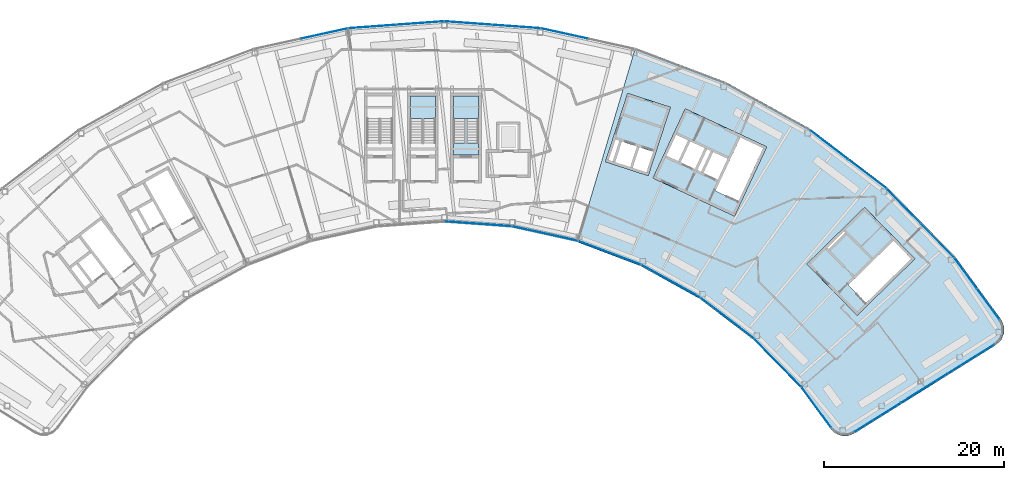
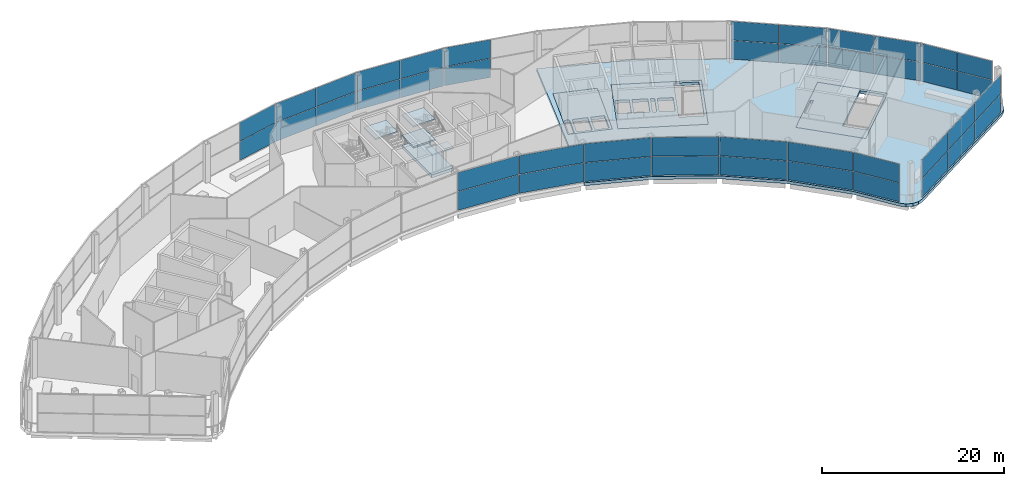
# One storey, part 35 of 44: 44 plates, 9 slabs, 17 elements without a shape of their own.
"""IFC4 building model written with IfcOpenShell, lengths in metres."""

from ifc_helpers import new_model, si_unit, direction, frame, origin, origin_2d, place, context, subcontext, project, spatial, polyline, rectangle, outline, extrude, material, layer, layer_set, type_object, element, aggregate, save


model = new_model("IFC4")

# Units and contexts
model_context = context("Model", 3, precision=1e-05, world=origin(), true_north=direction((0.0, 1.0)))
body_context = subcontext(model_context, "Body", "Model", "MODEL_VIEW")
ifc_project = project(units=[si_unit("LENGTHUNIT", "METRE"), si_unit("AREAUNIT", "SQUARE_METRE"), si_unit("VOLUMEUNIT", "CUBIC_METRE"), si_unit("PLANEANGLEUNIT", "RADIAN"), si_unit("MASSUNIT", "GRAM", prefix="KILO")], contexts=[model_context])

# Site, building, storey
site_placement = place(None, origin())
site = spatial("IfcSite", under=ifc_project, at=site_placement, CompositionType="ELEMENT")
building_placement = place(site_placement, origin())
building = spatial("IfcBuilding", under=site, at=building_placement, Name="Tuul Gate Civic Tower", CompositionType="ELEMENT")
storey_placement = place(building_placement, frame((0.0, 0.0, 354.60009765625)))
storey = spatial("IfcBuildingStorey", under=building, at=storey_placement, Name="Observation level 2", CompositionType="ELEMENT", Elevation=354.60009765625)

# Curtain wall, plates
ifc_material_1 = material(Name="Stainless steel", Category="steel")
ifc_layer_1 = layer(ifc_material_1, 0.199951171875)
ifc_layer_set_1 = layer_set([ifc_layer_1], Name="Stainless steel")
curtain_wall_type = type_object("IfcCurtainWallType", Name="Curtain wall CW4", PredefinedType="NOTDEFINED", material=ifc_layer_set_1)
curtain_wall_1_placement = place(storey_placement, origin())
curtain_wall_1 = element("IfcCurtainWall", 1, at=curtain_wall_1_placement, inside=storey, type_object=curtain_wall_type, Name="Curtain wall CW4", PredefinedType="NOTDEFINED")
ifc_material_2 = material(Name="Laminated glass", Category="glass")
ifc_layer_2 = layer(ifc_material_2, 0.0400390625)
ifc_layer_set_2 = layer_set([ifc_layer_2], Name="Laminated glass")
plate_type = type_object("IfcPlateType", Name="CW4 panel", PredefinedType="CURTAIN_PANEL", material=ifc_layer_set_2)
plate_1_placement = place(storey_placement, frame((62.70458984375, -17.19482421875, 0.06005859375), z_axis=(0.0, 0.0, 1.0), x_axis=(-0.589760109881, 0.807578487079, 0.0)))
plate_1 = element("IfcPlate", 2, at=plate_1_placement, type_object=plate_type, Name="Panel", PredefinedType="CURTAIN_PANEL", context=body_context, shape_type="SweptSolid", body=[
    extrude(rectangle(XDim=4.211669921875, YDim=0.0400390625, at=origin_2d()), origin(), (0.0, 0.0, 1.0), 2.510009765625),
])
plate_2_placement = place(storey_placement, frame((62.70458984375, -17.19482421875, 2.6298828125), z_axis=(0.0, 0.0, 1.0), x_axis=(-0.589760109881, 0.807578487079, 0.0)))
plate_2 = element("IfcPlate", 3, at=plate_2_placement, type_object=plate_type, Name="Panel", PredefinedType="CURTAIN_PANEL", context=body_context, shape_type="SweptSolid", body=[
    extrude(rectangle(XDim=4.211669921875, YDim=0.0400390625, at=origin_2d()), origin(), (0.0, 0.0, 1.0), 2.510009765625),
])
plate_3_placement = place(storey_placement, frame((60.185302734375, -13.7451171875, 0.06005859375), z_axis=(0.0, 0.0, 1.0), x_axis=(-0.589760109881, 0.807578487079, 0.0)))
plate_3 = element("IfcPlate", 4, at=plate_3_placement, type_object=plate_type, Name="Panel", PredefinedType="CURTAIN_PANEL", context=body_context, shape_type="SweptSolid", body=[
    extrude(rectangle(XDim=4.211669921875, YDim=0.0400390625, at=origin_2d()), origin(), (0.0, 0.0, 1.0), 2.510009765625),
])
plate_4_placement = place(storey_placement, frame((60.185302734375, -13.7451171875, 2.6298828125), z_axis=(0.0, 0.0, 1.0), x_axis=(-0.589760109881, 0.807578487079, 0.0)))
plate_4 = element("IfcPlate", 5, at=plate_4_placement, type_object=plate_type, Name="Panel", PredefinedType="CURTAIN_PANEL", context=body_context, shape_type="SweptSolid", body=[
    extrude(rectangle(XDim=4.211669921875, YDim=0.0400390625, at=origin_2d()), origin(), (0.0, 0.0, 1.0), 2.510009765625),
])
aggregate(curtain_wall_1, [plate_1, plate_2, plate_3, plate_4])

curtain_wall_2_placement = place(storey_placement, origin())
curtain_wall_2 = element("IfcCurtainWall", 6, at=curtain_wall_2_placement, inside=storey, type_object=curtain_wall_type, Name="Curtain wall CW4", PredefinedType="NOTDEFINED")
plate_5_placement = place(storey_placement, frame((57.017578125, -10.067626953125, 0.06005859375), z_axis=(0.0, 0.0, 1.0), x_axis=(-0.700043488595, 0.714100212908, 0.0)))
plate_5 = element("IfcPlate", 7, at=plate_5_placement, type_object=plate_type, Name="Panel", PredefinedType="CURTAIN_PANEL", context=body_context, shape_type="SweptSolid", body=[
    extrude(rectangle(XDim=5.281005859375, YDim=0.0400390625, at=origin_2d()), origin(), (0.0, 0.0, 1.0), 2.510009765625),
])
plate_6_placement = place(storey_placement, frame((57.017578125, -10.067626953125, 2.6298828125), z_axis=(0.0, 0.0, 1.0), x_axis=(-0.700043488595, 0.714100212908, 0.0)))
plate_6 = element("IfcPlate", 8, at=plate_6_placement, type_object=plate_type, Name="Panel", PredefinedType="CURTAIN_PANEL", context=body_context, shape_type="SweptSolid", body=[
    extrude(rectangle(XDim=5.281005859375, YDim=0.0400390625, at=origin_2d()), origin(), (0.0, 0.0, 1.0), 2.510009765625),
])
plate_7_placement = place(storey_placement, frame((53.278564453125, -6.25341796875, 0.06005859375), z_axis=(0.0, 0.0, 1.0), x_axis=(-0.700043488595, 0.714100212908, 0.0)))
plate_7 = element("IfcPlate", 9, at=plate_7_placement, type_object=plate_type, Name="Panel", PredefinedType="CURTAIN_PANEL", context=body_context, shape_type="SweptSolid", body=[
    extrude(rectangle(XDim=5.281005859375, YDim=0.0400390625, at=origin_2d()), origin(), (0.0, 0.0, 1.0), 2.510009765625),
])
plate_8_placement = place(storey_placement, frame((53.278564453125, -6.25341796875, 2.6298828125), z_axis=(0.0, 0.0, 1.0), x_axis=(-0.700043488595, 0.714100212908, 0.0)))
plate_8 = element("IfcPlate", 10, at=plate_8_placement, type_object=plate_type, Name="Panel", PredefinedType="CURTAIN_PANEL", context=body_context, shape_type="SweptSolid", body=[
    extrude(rectangle(XDim=5.281005859375, YDim=0.0400390625, at=origin_2d()), origin(), (0.0, 0.0, 1.0), 2.510009765625),
])
aggregate(curtain_wall_2, [plate_5, plate_6, plate_7, plate_8])

curtain_wall_3_placement = place(storey_placement, origin())
curtain_wall_3 = element("IfcCurtainWall", 11, at=curtain_wall_3_placement, inside=storey, type_object=curtain_wall_type, Name="Curtain wall CW4", PredefinedType="NOTDEFINED")
plate_9_placement = place(storey_placement, frame((49.2392578125, -2.68896484375, 0.06005859375), z_axis=(0.0, 0.0, 1.0), x_axis=(-0.795611180684, 0.605807600786, 0.0)))
plate_9 = element("IfcPlate", 12, at=plate_9_placement, type_object=plate_type, Name="Panel", PredefinedType="CURTAIN_PANEL", context=body_context, shape_type="SweptSolid", body=[
    extrude(rectangle(XDim=5.28125, YDim=0.0400390625, at=origin_2d()), origin(), (0.0, 0.0, 1.0), 2.510009765625),
])
plate_10_placement = place(storey_placement, frame((49.2392578125, -2.68896484375, 2.6298828125), z_axis=(0.0, 0.0, 1.0), x_axis=(-0.795611180684, 0.605807600786, 0.0)))
plate_10 = element("IfcPlate", 13, at=plate_10_placement, type_object=plate_type, Name="Panel", PredefinedType="CURTAIN_PANEL", context=body_context, shape_type="SweptSolid", body=[
    extrude(rectangle(XDim=5.28125, YDim=0.0400390625, at=origin_2d()), origin(), (0.0, 0.0, 1.0), 2.510009765625),
])
plate_11_placement = place(storey_placement, frame((44.98974609375, 0.546875, 0.06005859375), z_axis=(0.0, 0.0, 1.0), x_axis=(-0.795611180684, 0.605807600786, 0.0)))
plate_11 = element("IfcPlate", 14, at=plate_11_placement, type_object=plate_type, Name="Panel", PredefinedType="CURTAIN_PANEL", context=body_context, shape_type="SweptSolid", body=[
    extrude(rectangle(XDim=5.28125, YDim=0.0400390625, at=origin_2d()), origin(), (0.0, 0.0, 1.0), 2.510009765625),
])
plate_12_placement = place(storey_placement, frame((44.98974609375, 0.546875, 2.6298828125), z_axis=(0.0, 0.0, 1.0), x_axis=(-0.795611180684, 0.605807600786, 0.0)))
plate_12 = element("IfcPlate", 15, at=plate_12_placement, type_object=plate_type, Name="Panel", PredefinedType="CURTAIN_PANEL", context=body_context, shape_type="SweptSolid", body=[
    extrude(rectangle(XDim=5.28125, YDim=0.0400390625, at=origin_2d()), origin(), (0.0, 0.0, 1.0), 2.510009765625),
])
aggregate(curtain_wall_3, [plate_9, plate_10, plate_11, plate_12])

curtain_wall_4_placement = place(storey_placement, origin())
curtain_wall_4 = element("IfcCurtainWall", 16, at=curtain_wall_4_placement, inside=storey, type_object=curtain_wall_type, Name="Curtain wall CW4", PredefinedType="NOTDEFINED")
plate_13_placement = place(storey_placement, frame((15.54345703125, 12.921875, 0.06005859375), z_axis=(0.0, 0.0, 1.0), x_axis=(-0.976566659334, 0.215215147882, 0.0)))
plate_13 = element("IfcPlate", 17, at=plate_13_placement, type_object=plate_type, Name="Panel", PredefinedType="CURTAIN_PANEL", context=body_context, shape_type="SweptSolid", body=[
    extrude(rectangle(XDim=5.28125, YDim=0.0400390625, at=origin_2d()), origin(), (0.0, 0.0, 1.0), 2.510009765625),
])
plate_14_placement = place(storey_placement, frame((15.54345703125, 12.921875, 2.6298828125), z_axis=(0.0, 0.0, 1.0), x_axis=(-0.976566659334, 0.215215147882, 0.0)))
plate_14 = element("IfcPlate", 18, at=plate_14_placement, type_object=plate_type, Name="Panel", PredefinedType="CURTAIN_PANEL", context=body_context, shape_type="SweptSolid", body=[
    extrude(rectangle(XDim=5.28125, YDim=0.0400390625, at=origin_2d()), origin(), (0.0, 0.0, 1.0), 2.510009765625),
])
aggregate(curtain_wall_4, [plate_13, plate_14])

curtain_wall_5_placement = place(storey_placement, origin())
curtain_wall_5 = element("IfcCurtainWall", 19, at=curtain_wall_5_placement, inside=storey, type_object=curtain_wall_type, Name="Curtain wall CW4", PredefinedType="NOTDEFINED")
plate_15_placement = place(storey_placement, frame((10.212646484375, 13.697998046875, 0.06005859375), z_axis=(0.0, 0.0, 1.0), x_axis=(-0.997387323989, 0.07223936563, 0.0)))
plate_15 = element("IfcPlate", 20, at=plate_15_placement, type_object=plate_type, Name="Panel", PredefinedType="CURTAIN_PANEL", context=body_context, shape_type="SweptSolid", body=[
    extrude(rectangle(XDim=5.281005859375, YDim=0.0400390625, at=origin_2d()), origin(), (0.0, 0.0, 1.0), 2.510009765625),
])
plate_16_placement = place(storey_placement, frame((10.212646484375, 13.697998046875, 2.6298828125), z_axis=(0.0, 0.0, 1.0), x_axis=(-0.997387323989, 0.07223936563, 0.0)))
plate_16 = element("IfcPlate", 21, at=plate_16_placement, type_object=plate_type, Name="Panel", PredefinedType="CURTAIN_PANEL", context=body_context, shape_type="SweptSolid", body=[
    extrude(rectangle(XDim=5.281005859375, YDim=0.0400390625, at=origin_2d()), origin(), (0.0, 0.0, 1.0), 2.510009765625),
])
plate_17_placement = place(storey_placement, frame((4.885498046875, 14.083984375, 0.06005859375), z_axis=(0.0, 0.0, 1.0), x_axis=(-0.997387323989, 0.07223936563, 0.0)))
plate_17 = element("IfcPlate", 22, at=plate_17_placement, type_object=plate_type, Name="Panel", PredefinedType="CURTAIN_PANEL", context=body_context, shape_type="SweptSolid", body=[
    extrude(rectangle(XDim=5.281005859375, YDim=0.0400390625, at=origin_2d()), origin(), (0.0, 0.0, 1.0), 2.510009765625),
])
plate_18_placement = place(storey_placement, frame((4.885498046875, 14.083984375, 2.6298828125), z_axis=(0.0, 0.0, 1.0), x_axis=(-0.997387323989, 0.07223936563, 0.0)))
plate_18 = element("IfcPlate", 23, at=plate_18_placement, type_object=plate_type, Name="Panel", PredefinedType="CURTAIN_PANEL", context=body_context, shape_type="SweptSolid", body=[
    extrude(rectangle(XDim=5.281005859375, YDim=0.0400390625, at=origin_2d()), origin(), (0.0, 0.0, 1.0), 2.510009765625),
])
aggregate(curtain_wall_5, [plate_15, plate_16, plate_17, plate_18])

curtain_wall_6_placement = place(storey_placement, origin())
curtain_wall_6 = element("IfcCurtainWall", 24, at=curtain_wall_6_placement, inside=storey, type_object=curtain_wall_type, Name="Curtain wall CW4", PredefinedType="NOTDEFINED")
plate_19_placement = place(storey_placement, frame((-0.50146484375, 14.083984375, 0.06005859375), z_axis=(0.0, 0.0, 1.0), x_axis=(-0.997387323989, -0.07223936563, 0.0)))
plate_19 = element("IfcPlate", 25, at=plate_19_placement, type_object=plate_type, Name="Panel", PredefinedType="CURTAIN_PANEL", context=body_context, shape_type="SweptSolid", body=[
    extrude(rectangle(XDim=5.281005859375, YDim=0.0400390625, at=origin_2d()), origin(), (0.0, 0.0, 1.0), 2.510009765625),
])
plate_20_placement = place(storey_placement, frame((-0.50146484375, 14.083984375, 2.6298828125), z_axis=(0.0, 0.0, 1.0), x_axis=(-0.997387323989, -0.07223936563, 0.0)))
plate_20 = element("IfcPlate", 26, at=plate_20_placement, type_object=plate_type, Name="Panel", PredefinedType="CURTAIN_PANEL", context=body_context, shape_type="SweptSolid", body=[
    extrude(rectangle(XDim=5.281005859375, YDim=0.0400390625, at=origin_2d()), origin(), (0.0, 0.0, 1.0), 2.510009765625),
])
plate_21_placement = place(storey_placement, frame((-5.82861328125, 13.697998046875, 0.06005859375), z_axis=(0.0, 0.0, 1.0), x_axis=(-0.997387323989, -0.07223936563, 0.0)))
plate_21 = element("IfcPlate", 27, at=plate_21_placement, type_object=plate_type, Name="Panel", PredefinedType="CURTAIN_PANEL", context=body_context, shape_type="SweptSolid", body=[
    extrude(rectangle(XDim=5.281005859375, YDim=0.0400390625, at=origin_2d()), origin(), (0.0, 0.0, 1.0), 2.510009765625),
])
plate_22_placement = place(storey_placement, frame((-5.82861328125, 13.697998046875, 2.6298828125), z_axis=(0.0, 0.0, 1.0), x_axis=(-0.997387323989, -0.07223936563, 0.0)))
plate_22 = element("IfcPlate", 28, at=plate_22_placement, type_object=plate_type, Name="Panel", PredefinedType="CURTAIN_PANEL", context=body_context, shape_type="SweptSolid", body=[
    extrude(rectangle(XDim=5.281005859375, YDim=0.0400390625, at=origin_2d()), origin(), (0.0, 0.0, 1.0), 2.510009765625),
])
aggregate(curtain_wall_6, [plate_19, plate_20, plate_21, plate_22])

curtain_wall_7_placement = place(storey_placement, origin())
curtain_wall_7 = element("IfcCurtainWall", 29, at=curtain_wall_7_placement, inside=storey, type_object=curtain_wall_type, Name="Curtain wall CW4", PredefinedType="NOTDEFINED")
plate_23_placement = place(storey_placement, frame((-11.159423828125, 12.921875, 0.06005859375), z_axis=(0.0, 0.0, 1.0), x_axis=(-0.976566659334, -0.215215147882, 0.0)))
plate_23 = element("IfcPlate", 30, at=plate_23_placement, type_object=plate_type, Name="Panel", PredefinedType="CURTAIN_PANEL", context=body_context, shape_type="SweptSolid", body=[
    extrude(rectangle(XDim=5.28125, YDim=0.0400390625, at=origin_2d()), origin(), (0.0, 0.0, 1.0), 2.510009765625),
])
plate_24_placement = place(storey_placement, frame((-11.159423828125, 12.921875, 2.6298828125), z_axis=(0.0, 0.0, 1.0), x_axis=(-0.976566659334, -0.215215147882, 0.0)))
plate_24 = element("IfcPlate", 31, at=plate_24_placement, type_object=plate_type, Name="Panel", PredefinedType="CURTAIN_PANEL", context=body_context, shape_type="SweptSolid", body=[
    extrude(rectangle(XDim=5.28125, YDim=0.0400390625, at=origin_2d()), origin(), (0.0, 0.0, 1.0), 2.510009765625),
])
aggregate(curtain_wall_7, [plate_23, plate_24])

curtain_wall_8_placement = place(storey_placement, origin())
curtain_wall_8 = element("IfcCurtainWall", 32, at=curtain_wall_8_placement, inside=storey, type_object=curtain_wall_type, Name="Curtain wall CW4", PredefinedType="NOTDEFINED")
plate_25_placement = place(storey_placement, frame((5.945556640625, -8.2509765625, 0.06005859375), z_axis=(0.0, 0.0, 1.0), x_axis=(0.997384657179, -0.072276176045, 0.0)))
plate_25 = element("IfcPlate", 33, at=plate_25_placement, type_object=plate_type, Name="Panel", PredefinedType="CURTAIN_PANEL", context=body_context, shape_type="SweptSolid", body=[
    extrude(rectangle(XDim=7.40673828125, YDim=0.0400390625, at=origin_2d()), origin(), (0.0, 0.0, 1.0), 2.510009765625),
])
plate_26_placement = place(storey_placement, frame((5.945556640625, -8.2509765625, 2.6298828125), z_axis=(0.0, 0.0, 1.0), x_axis=(0.997384657179, -0.072276176045, 0.0)))
plate_26 = element("IfcPlate", 34, at=plate_26_placement, type_object=plate_type, Name="Panel", PredefinedType="CURTAIN_PANEL", context=body_context, shape_type="SweptSolid", body=[
    extrude(rectangle(XDim=7.40673828125, YDim=0.0400390625, at=origin_2d()), origin(), (0.0, 0.0, 1.0), 2.510009765625),
])
aggregate(curtain_wall_8, [plate_25, plate_26])

curtain_wall_9_placement = place(storey_placement, origin())
curtain_wall_9 = element("IfcCurtainWall", 35, at=curtain_wall_9_placement, inside=storey, type_object=curtain_wall_type, Name="Curtain wall CW4", PredefinedType="NOTDEFINED")
plate_27_placement = place(storey_placement, frame((13.3740234375, -9.3330078125, 0.06005859375), z_axis=(0.0, 0.0, 1.0), x_axis=(0.976560749849, -0.215241961183, 0.0)))
plate_27 = element("IfcPlate", 36, at=plate_27_placement, type_object=plate_type, Name="Panel", PredefinedType="CURTAIN_PANEL", context=body_context, shape_type="SweptSolid", body=[
    extrude(rectangle(XDim=7.406494140625, YDim=0.0400390625, at=origin_2d()), origin(), (0.0, 0.0, 1.0), 2.510009765625),
])
plate_28_placement = place(storey_placement, frame((13.3740234375, -9.3330078125, 2.6298828125), z_axis=(0.0, 0.0, 1.0), x_axis=(0.976560749849, -0.215241961183, 0.0)))
plate_28 = element("IfcPlate", 37, at=plate_28_placement, type_object=plate_type, Name="Panel", PredefinedType="CURTAIN_PANEL", context=body_context, shape_type="SweptSolid", body=[
    extrude(rectangle(XDim=7.406494140625, YDim=0.0400390625, at=origin_2d()), origin(), (0.0, 0.0, 1.0), 2.510009765625),
])
aggregate(curtain_wall_9, [plate_27, plate_28])

curtain_wall_10_placement = place(storey_placement, origin())
curtain_wall_10 = element("IfcCurtainWall", 38, at=curtain_wall_10_placement, inside=storey, type_object=curtain_wall_type, Name="Curtain wall CW4", PredefinedType="NOTDEFINED")
plate_29_placement = place(storey_placement, frame((20.569091796875, -11.47412109375, 0.06005859375), z_axis=(0.0, 0.0, 1.0), x_axis=(0.935364679597, -0.353684769481, 0.0)))
plate_29 = element("IfcPlate", 39, at=plate_29_placement, type_object=plate_type, Name="Panel", PredefinedType="CURTAIN_PANEL", context=body_context, shape_type="SweptSolid", body=[
    extrude(rectangle(XDim=7.406494140625, YDim=0.0400390625, at=origin_2d()), origin(), (0.0, 0.0, 1.0), 2.510009765625),
])
plate_30_placement = place(storey_placement, frame((20.569091796875, -11.47412109375, 2.6298828125), z_axis=(0.0, 0.0, 1.0), x_axis=(0.935364679597, -0.353684769481, 0.0)))
plate_30 = element("IfcPlate", 40, at=plate_30_placement, type_object=plate_type, Name="Panel", PredefinedType="CURTAIN_PANEL", context=body_context, shape_type="SweptSolid", body=[
    extrude(rectangle(XDim=7.406494140625, YDim=0.0400390625, at=origin_2d()), origin(), (0.0, 0.0, 1.0), 2.510009765625),
])
aggregate(curtain_wall_10, [plate_29, plate_30])

curtain_wall_11_placement = place(storey_placement, origin())
curtain_wall_11 = element("IfcCurtainWall", 41, at=curtain_wall_11_placement, inside=storey, type_object=curtain_wall_type, Name="Curtain wall CW4", PredefinedType="NOTDEFINED")
plate_31_placement = place(storey_placement, frame((27.380615234375, -14.62939453125, 0.06005859375), z_axis=(0.0, 0.0, 1.0), x_axis=(0.874620635875, -0.48480794476, 0.0)))
plate_31 = element("IfcPlate", 42, at=plate_31_placement, type_object=plate_type, Name="Panel", PredefinedType="CURTAIN_PANEL", context=body_context, shape_type="SweptSolid", body=[
    extrude(rectangle(XDim=7.40673828125, YDim=0.0400390625, at=origin_2d()), origin(), (0.0, 0.0, 1.0), 2.510009765625),
])
plate_32_placement = place(storey_placement, frame((27.380615234375, -14.62939453125, 2.6298828125), z_axis=(0.0, 0.0, 1.0), x_axis=(0.874620635875, -0.48480794476, 0.0)))
plate_32 = element("IfcPlate", 43, at=plate_32_placement, type_object=plate_type, Name="Panel", PredefinedType="CURTAIN_PANEL", context=body_context, shape_type="SweptSolid", body=[
    extrude(rectangle(XDim=7.40673828125, YDim=0.0400390625, at=origin_2d()), origin(), (0.0, 0.0, 1.0), 2.510009765625),
])
aggregate(curtain_wall_11, [plate_31, plate_32])

curtain_wall_12_placement = place(storey_placement, origin())
curtain_wall_12 = element("IfcCurtainWall", 44, at=curtain_wall_12_placement, inside=storey, type_object=curtain_wall_type, Name="Curtain wall CW4", PredefinedType="NOTDEFINED")
plate_33_placement = place(storey_placement, frame((33.666015625, -18.73388671875, 0.06005859375), z_axis=(0.0, 0.0, 1.0), x_axis=(0.795578092914, -0.605851052715, 0.0)))
plate_33 = element("IfcPlate", 45, at=plate_33_placement, type_object=plate_type, Name="Panel", PredefinedType="CURTAIN_PANEL", context=body_context, shape_type="SweptSolid", body=[
    extrude(rectangle(XDim=7.406494140625, YDim=0.0400390625, at=origin_2d()), origin(), (0.0, 0.0, 1.0), 2.510009765625),
])
plate_34_placement = place(storey_placement, frame((33.666015625, -18.73388671875, 2.6298828125), z_axis=(0.0, 0.0, 1.0), x_axis=(0.795578092914, -0.605851052715, 0.0)))
plate_34 = element("IfcPlate", 46, at=plate_34_placement, type_object=plate_type, Name="Panel", PredefinedType="CURTAIN_PANEL", context=body_context, shape_type="SweptSolid", body=[
    extrude(rectangle(XDim=7.406494140625, YDim=0.0400390625, at=origin_2d()), origin(), (0.0, 0.0, 1.0), 2.510009765625),
])
aggregate(curtain_wall_12, [plate_33, plate_34])

curtain_wall_13_placement = place(storey_placement, origin())
curtain_wall_13 = element("IfcCurtainWall", 47, at=curtain_wall_13_placement, inside=storey, type_object=curtain_wall_type, Name="Curtain wall CW4", PredefinedType="NOTDEFINED")
plate_35_placement = place(storey_placement, frame((39.29443359375, -23.700927734375, 0.06005859375), z_axis=(0.0, 0.0, 1.0), x_axis=(0.700096651008, -0.714048093092, 0.0)))
plate_35 = element("IfcPlate", 48, at=plate_35_placement, type_object=plate_type, Name="Panel", PredefinedType="CURTAIN_PANEL", context=body_context, shape_type="SweptSolid", body=[
    extrude(rectangle(XDim=7.406005859375, YDim=0.0400390625, at=origin_2d()), origin(), (0.0, 0.0, 1.0), 2.510009765625),
])
plate_36_placement = place(storey_placement, frame((39.29443359375, -23.700927734375, 2.6298828125), z_axis=(0.0, 0.0, 1.0), x_axis=(0.700096651008, -0.714048093092, 0.0)))
plate_36 = element("IfcPlate", 49, at=plate_36_placement, type_object=plate_type, Name="Panel", PredefinedType="CURTAIN_PANEL", context=body_context, shape_type="SweptSolid", body=[
    extrude(rectangle(XDim=7.406005859375, YDim=0.0400390625, at=origin_2d()), origin(), (0.0, 0.0, 1.0), 2.510009765625),
])
aggregate(curtain_wall_13, [plate_35, plate_36])

curtain_wall_14_placement = place(storey_placement, origin())
curtain_wall_14 = element("IfcCurtainWall", 50, at=curtain_wall_14_placement, inside=storey, type_object=curtain_wall_type, Name="Curtain wall CW4", PredefinedType="NOTDEFINED")
plate_37_placement = place(storey_placement, frame((43.596435546875, -28.67138671875, 0.06005859375), z_axis=(0.0, 0.0, 1.0), x_axis=(0.589737236717, -0.807595190444, 0.0)))
plate_37 = element("IfcPlate", 51, at=plate_37_placement, type_object=plate_type, Name="Panel", PredefinedType="CURTAIN_PANEL", context=body_context, shape_type="SweptSolid", body=[
    extrude(rectangle(XDim=5.53515625, YDim=0.0400390625, at=origin_2d()), origin(), (0.0, 0.0, 1.0), 2.510009765625),
])
plate_38_placement = place(storey_placement, frame((43.596435546875, -28.67138671875, 2.6298828125), z_axis=(0.0, 0.0, 1.0), x_axis=(0.589737236717, -0.807595190444, 0.0)))
plate_38 = element("IfcPlate", 52, at=plate_38_placement, type_object=plate_type, Name="Panel", PredefinedType="CURTAIN_PANEL", context=body_context, shape_type="SweptSolid", body=[
    extrude(rectangle(XDim=5.53515625, YDim=0.0400390625, at=origin_2d()), origin(), (0.0, 0.0, 1.0), 2.510009765625),
])
aggregate(curtain_wall_14, [plate_37, plate_38])

curtain_wall_15_placement = place(storey_placement, origin())
curtain_wall_15 = element("IfcCurtainWall", 53, at=curtain_wall_15_placement, inside=storey, type_object=curtain_wall_type, Name="Curtain wall CW4", PredefinedType="NOTDEFINED")
plate_39_placement = place(storey_placement, frame((50.373291015625, -29.786865234375, 0.06005859375), z_axis=(0.0, 0.0, 1.0), x_axis=(0.848052818366, 0.529911707044, 0.0)))
plate_39 = element("IfcPlate", 54, at=plate_39_placement, type_object=plate_type, Name="Panel", PredefinedType="CURTAIN_PANEL", context=body_context, shape_type="SweptSolid", body=[
    extrude(rectangle(XDim=6.0927734375, YDim=0.0400390625, at=origin_2d()), origin(), (0.0, 0.0, 1.0), 2.510009765625),
])
plate_40_placement = place(storey_placement, frame((50.373291015625, -29.786865234375, 2.6298828125), z_axis=(0.0, 0.0, 1.0), x_axis=(0.848052818366, 0.529911707044, 0.0)))
plate_40 = element("IfcPlate", 55, at=plate_40_placement, type_object=plate_type, Name="Panel", PredefinedType="CURTAIN_PANEL", context=body_context, shape_type="SweptSolid", body=[
    extrude(rectangle(XDim=6.0927734375, YDim=0.0400390625, at=origin_2d()), origin(), (0.0, 0.0, 1.0), 2.510009765625),
])
plate_41_placement = place(storey_placement, frame((55.60400390625, -26.5185546875, 0.06005859375), z_axis=(0.0, 0.0, 1.0), x_axis=(0.848052818366, 0.529911707044, 0.0)))
plate_41 = element("IfcPlate", 56, at=plate_41_placement, type_object=plate_type, Name="Panel", PredefinedType="CURTAIN_PANEL", context=body_context, shape_type="SweptSolid", body=[
    extrude(rectangle(XDim=6.122802734375, YDim=0.0400390625, at=origin_2d()), origin(), (0.0, 0.0, 1.0), 2.510009765625),
])
plate_42_placement = place(storey_placement, frame((55.60400390625, -26.5185546875, 2.6298828125), z_axis=(0.0, 0.0, 1.0), x_axis=(0.848052818366, 0.529911707044, 0.0)))
plate_42 = element("IfcPlate", 57, at=plate_42_placement, type_object=plate_type, Name="Panel", PredefinedType="CURTAIN_PANEL", context=body_context, shape_type="SweptSolid", body=[
    extrude(rectangle(XDim=6.122802734375, YDim=0.0400390625, at=origin_2d()), origin(), (0.0, 0.0, 1.0), 2.510009765625),
])
plate_43_placement = place(storey_placement, frame((60.834716796875, -23.25, 0.06005859375), z_axis=(0.0, 0.0, 1.0), x_axis=(0.848052818366, 0.529911707044, 0.0)))
plate_43 = element("IfcPlate", 58, at=plate_43_placement, type_object=plate_type, Name="Panel", PredefinedType="CURTAIN_PANEL", context=body_context, shape_type="SweptSolid", body=[
    extrude(rectangle(XDim=6.0927734375, YDim=0.0400390625, at=origin_2d()), origin(), (0.0, 0.0, 1.0), 2.510009765625),
])
plate_44_placement = place(storey_placement, frame((60.834716796875, -23.25, 2.6298828125), z_axis=(0.0, 0.0, 1.0), x_axis=(0.848052818366, 0.529911707044, 0.0)))
plate_44 = element("IfcPlate", 59, at=plate_44_placement, type_object=plate_type, Name="Panel", PredefinedType="CURTAIN_PANEL", context=body_context, shape_type="SweptSolid", body=[
    extrude(rectangle(XDim=6.0927734375, YDim=0.0400390625, at=origin_2d()), origin(), (0.0, 0.0, 1.0), 2.510009765625),
])
aggregate(curtain_wall_15, [plate_39, plate_40, plate_41, plate_42, plate_43, plate_44])

# Slabs
ifc_material_3 = material(Name="Concrete C40/50", Category="concrete")
ifc_layer_3 = layer(ifc_material_3, 0.39990234375)
ifc_layer_set_3 = layer_set([ifc_layer_3], Name="Concrete C40/50")
slab_type_1 = type_object("IfcSlabType", Name="Core floor slab 400", PredefinedType="FLOOR", material=ifc_layer_set_3)
slab_1_placement = place(storey_placement, frame((0.0, 0.0, -0.400146484375)))
element("IfcSlab", 60, at=slab_1_placement, inside=storey, type_object=slab_type_1, Name="FLOOR SLAB", PredefinedType="FLOOR", context=body_context, shape_type="SweptSolid", body=[
    extrude(outline(polyline([(48.117919921875, -18.43310546875), (54.545166015625, -12.1328125), (48.945068359375, -6.419921875), (42.517822265625, -12.719970703125), (48.117919921875, -18.43310546875)]), holes=[polyline([(44.93896484375, -11.046875), (46.760009765625, -9.261962890625), (46.514892578125, -9.011962890625), (44.69384765625, -10.797119140625), (44.93896484375, -11.046875)]), polyline([(49.086181640625, -17.062744140625), (47.12744140625, -15.064208984375), (52.160888671875, -10.130126953125), (54.11962890625, -12.128662109375), (49.086181640625, -17.062744140625)])]), origin(), (0.0, 0.0, 1.0), 0.400146484375),
])
slab_2_placement = place(storey_placement, frame((0.0, 0.0, -0.400146484375)))
element("IfcSlab", 61, at=slab_2_placement, inside=storey, type_object=slab_type_1, Name="FLOOR SLAB", PredefinedType="FLOOR", context=body_context, shape_type="SweptSolid", body=[
    extrude(outline(polyline([(34.465087890625, -7.385986328125), (38.056884765625, 0.31787109375), (28.993896484375, 4.543701171875), (25.40185546875, -3.159912109375), (34.465087890625, -7.385986328125)]), holes=[polyline([(32.60888671875, -3.32080078125), (33.6865234375, -1.009765625), (32.1005859375, -0.27001953125), (31.02294921875, -2.581298828125), (32.60888671875, -3.32080078125)]), polyline([(30.0712890625, -2.137451171875), (31.14892578125, 0.173583984375), (29.562744140625, 0.9130859375), (28.4853515625, -1.39794921875), (30.0712890625, -2.137451171875)]), polyline([(30.751220703125, -2.454345703125), (31.82861328125, -0.143310546875), (31.4208984375, 0.046875), (30.34326171875, -2.264404296875), (30.751220703125, -2.454345703125)]), polyline([(28.21337890625, -1.27099609375), (29.291015625, 1.0400390625), (27.8408203125, 1.71630859375), (26.76318359375, -0.594970703125), (28.21337890625, -1.27099609375)]), polyline([(34.889892578125, -5.7626953125), (32.353759765625, -4.580078125), (35.120849609375, 1.354736328125), (37.6572265625, 0.17236328125), (34.889892578125, -5.7626953125)])]), origin(), (0.0, 0.0, 1.0), 0.400146484375),
])
ifc_material_4 = material(Name="Concrete C40/50", Category="concrete")
ifc_layer_4 = layer(ifc_material_4, 0.39990234375)
ifc_layer_set_4 = layer_set([ifc_layer_4], Name="Concrete C40/50")
slab_type_2 = type_object("IfcSlabType", Name="Core floor slab 400 non-bearing", PredefinedType="FLOOR", material=ifc_layer_set_4)
slab_3_placement = place(storey_placement, frame((0.0, 0.0, -0.400146484375)))
element("IfcSlab", 62, at=slab_3_placement, inside=storey, type_object=slab_type_2, Name="FLOOR SLAB", PredefinedType="FLOOR", context=body_context, shape_type="SweptSolid", body=[
    extrude(outline(polyline([(24.864990234375, -2.888916015625), (27.337890625, 4.71923828125), (22.58251953125, 6.264404296875), (20.109619140625, -1.343994140625), (24.864990234375, -2.888916015625)]), holes=[polyline([(24.67236328125, -2.510986328125), (25.414306640625, -0.228515625), (23.892578125, 0.265869140625), (23.150634765625, -2.0166015625), (24.67236328125, -2.510986328125)]), polyline([(22.865478515625, -1.923828125), (23.607177734375, 0.358642578125), (21.94287109375, 0.8994140625), (21.201171875, -1.383056640625), (22.865478515625, -1.923828125)]), polyline([(20.869384765625, -1.43310546875), (21.65771484375, 0.9921875), (21.0869140625, 1.177490234375), (20.298583984375, -1.24755859375), (20.869384765625, -1.43310546875)])]), origin(), (0.0, 0.0, 1.0), 0.400146484375),
])

# Stair, slab
ifc_material_5 = material(Name="Concrete C40/50", Category="concrete")
stair_type = type_object("IfcStairType", Name="Exit stair", PredefinedType="HALF_TURN_STAIR", material=ifc_material_5)
stair_1_placement = place(storey_placement, origin())
stair_1 = element("IfcStair", 63, at=stair_1_placement, inside=storey, type_object=stair_type, Name="Observation level 2 ST-6", PredefinedType="HALF_TURN_STAIR")
ifc_material_6 = material(Name="Concrete C40/50", Category="concrete")
ifc_layer_5 = layer(ifc_material_6, 0.199951171875)
ifc_layer_set_5 = layer_set([ifc_layer_5], Name="Concrete C40/50")
slab_type_3 = type_object("IfcSlabType", Name="Exit stair landing", PredefinedType="LANDING", material=ifc_layer_set_5)
slab_4_placement = place(storey_placement, frame((0.0, 0.0, 3.9248046875)))
slab_4 = element("IfcSlab", 64, at=slab_4_placement, type_object=slab_type_3, Name="ST-6 landing 3", PredefinedType="LANDING", context=body_context, shape_type="SweptSolid", body=[
    extrude(outline(polyline([(1.20068359375, 3.44921875), (-1.600830078125, 3.44921875), (-1.600830078125, 6.000732421875), (1.20068359375, 6.000732421875), (1.20068359375, 3.44921875)])), origin(), (0.0, 0.0, 1.0), 0.2001953125),
])
aggregate(stair_1, [slab_4])

# Stair, slabs
stair_2_placement = place(storey_placement, origin())
stair_2 = element("IfcStair", 65, at=stair_2_placement, inside=storey, type_object=stair_type, Name="Observation level 2 ST-7", PredefinedType="HALF_TURN_STAIR")
slab_5_placement = place(storey_placement, frame((0.0, 0.0, 1.1748046875)))
slab_5 = element("IfcSlab", 66, at=slab_5_placement, type_object=slab_type_3, Name="ST-7 landing 1", PredefinedType="LANDING", context=body_context, shape_type="SweptSolid", body=[
    extrude(outline(polyline([(6.000732421875, 3.44921875), (3.19921875, 3.44921875), (3.19921875, 6.000732421875), (6.000732421875, 6.000732421875), (6.000732421875, 3.44921875)])), origin(), (0.0, 0.0, 1.0), 0.2001953125),
])
slab_6_placement = place(storey_placement, frame((0.0, 0.0, 2.5498046875)))
slab_6 = element("IfcSlab", 67, at=slab_6_placement, type_object=slab_type_3, Name="ST-7 landing 2", PredefinedType="LANDING", context=body_context, shape_type="SweptSolid", body=[
    extrude(outline(polyline([(6.000732421875, -0.600830078125), (3.19921875, -0.600830078125), (3.19921875, 0.750732421875), (6.000732421875, 0.750732421875), (6.000732421875, -0.600830078125)])), origin(), (0.0, 0.0, 1.0), 0.2001953125),
])
slab_7_placement = place(storey_placement, frame((0.0, 0.0, 3.9248046875)))
slab_7 = element("IfcSlab", 68, at=slab_7_placement, type_object=slab_type_3, Name="ST-7 landing 3", PredefinedType="LANDING", context=body_context, shape_type="SweptSolid", body=[
    extrude(outline(polyline([(6.000732421875, 3.44921875), (3.19921875, 3.44921875), (3.19921875, 6.000732421875), (6.000732421875, 6.000732421875), (6.000732421875, 3.44921875)])), origin(), (0.0, 0.0, 1.0), 0.2001953125),
])
aggregate(stair_2, [slab_5, slab_6, slab_7])

# Slabs
ifc_material_7 = material(Name="Concrete C35/45", Category="concrete")
ifc_layer_6 = layer(ifc_material_7, 0.39990234375)
ifc_layer_set_6 = layer_set([ifc_layer_6], Name="Concrete C35/45")
slab_type_4 = type_object("IfcSlabType", Name="STR-FLOOR-SLAB-400", PredefinedType="FLOOR", material=ifc_layer_set_6)
slab_8_placement = place(storey_placement, frame((0.0, 0.0, -0.400146484375)))
element("IfcSlab", 69, at=slab_8_placement, inside=storey, type_object=slab_type_4, Name="Observation level 2/slab/M4", PredefinedType="FLOOR", context=body_context, shape_type="SweptSolid", body=[
    extrude(outline(polyline([(3.2099609375, 5.989990234375), (3.2099609375, -0.590087890625), (5.989990234375, -0.590087890625), (5.989990234375, 5.989990234375), (3.2099609375, 5.989990234375)])), origin(), (0.0, 0.0, 1.0), 0.400146484375),
])
slab_9_placement = place(storey_placement, frame((0.0, 0.0, -0.400146484375)))
element("IfcSlab", 70, at=slab_9_placement, inside=storey, type_object=slab_type_4, Name="Observation level 2/slab/E", PredefinedType="FLOOR", context=body_context, shape_type="SweptSolid", body=[
    extrude(outline(polyline([(47.1240234375, -31.830078125), (47.818115234375, -31.56005859375), (63.548095703125, -21.73095703125), (64.136962890625, -21.1669921875), (64.451904296875, -20.4140625), (64.43994140625, -19.597900390625), (64.10302734375, -18.85498046875), (59.02294921875, -11.89892578125), (51.488037109375, -4.2119140625), (42.923095703125, 2.30908203125), (33.509033203125, 7.528076171875), (23.43994140625, 11.3349609375), (17.006103515625, -10.287109375), (24.02587890625, -12.94189453125), (30.590087890625, -16.580078125), (36.56103515625, -21.1259765625), (41.81396484375, -26.486083984375), (45.14306640625, -31.0439453125), (45.68701171875, -31.552978515625), (46.37890625, -31.827880859375), (47.1240234375, -31.830078125)]), holes=[polyline([(42.51806640625, -12.719970703125), (48.945068359375, -6.419921875), (54.544921875, -12.133056640625), (48.117919921875, -18.43310546875), (42.51806640625, -12.719970703125)]), polyline([(25.402099609375, -3.159912109375), (28.993896484375, 4.5439453125), (38.056884765625, 0.318115234375), (34.465087890625, -7.385986328125), (25.402099609375, -3.159912109375)]), polyline([(20.110107421875, -1.343994140625), (22.58203125, 6.264892578125), (27.337890625, 4.719970703125), (24.864990234375, -2.888916015625), (20.110107421875, -1.343994140625)])]), origin(), (0.0, 0.0, 1.0), 0.400146484375),
])

save(model, "model.ifc")
